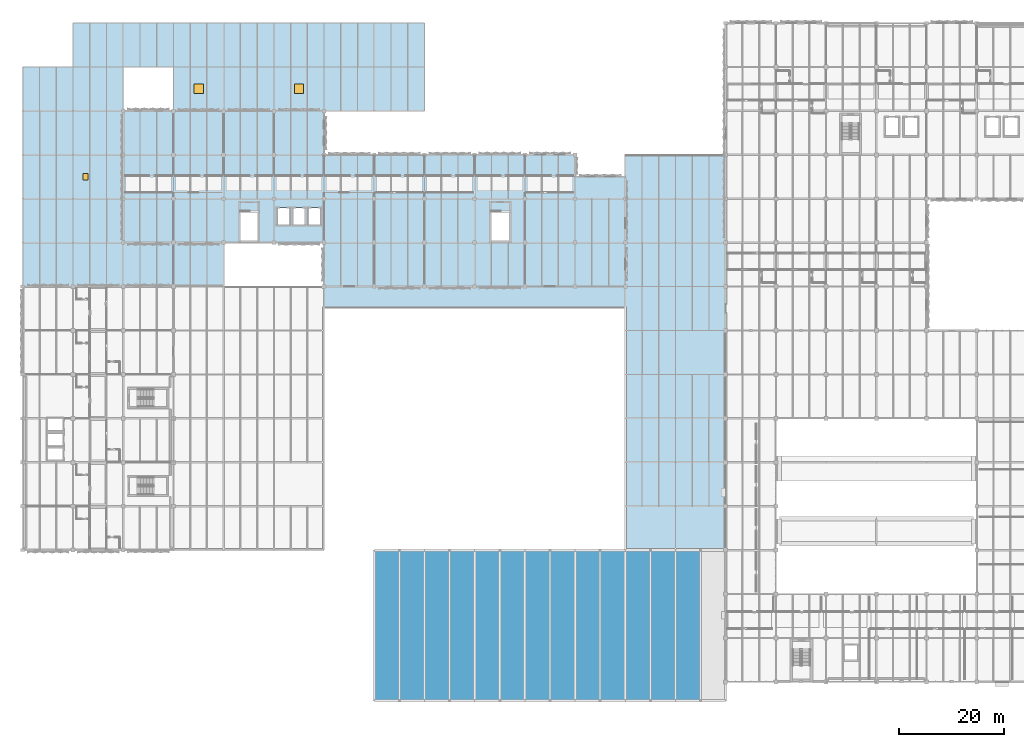
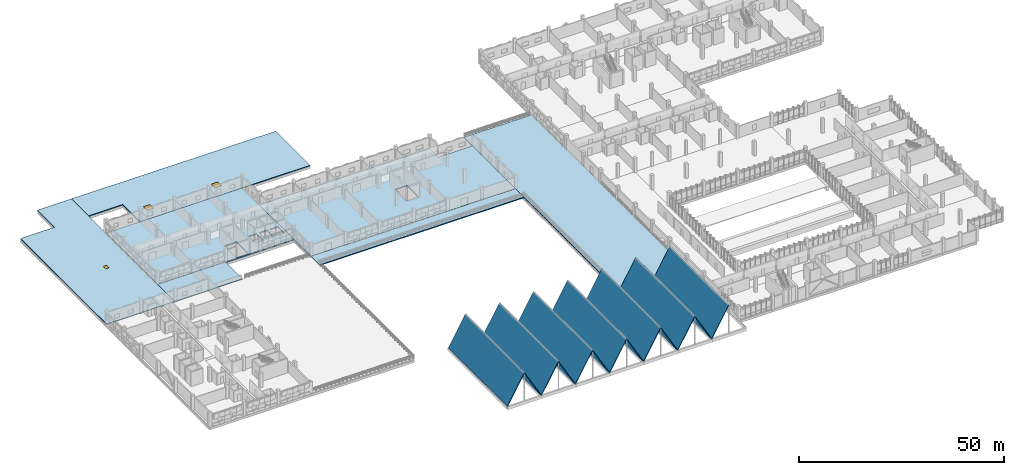
# One storey, part 39 of 86: 20 slabs, 2 windows, 1 door, 3 openings, 2 elements without a shape of their own.
"""IFC4 building model written with IfcOpenShell, lengths in metres."""

from ifc_helpers import new_model, si_unit, direction, frame, origin, origin_2d, place, context, subcontext, project, spatial, polyline, rectangle, outline, extrude, material, layer, layer_set, type_object, element, fill, aggregate, save


model = new_model("IFC4")

# Units and contexts
model_context = context("Model", 3, precision=1e-05, world=origin(), true_north=direction((0.0, 1.0)))
body_context = subcontext(model_context, "Body", "Model", "MODEL_VIEW")
ifc_project = project(units=[si_unit("LENGTHUNIT", "METRE"), si_unit("AREAUNIT", "SQUARE_METRE"), si_unit("VOLUMEUNIT", "CUBIC_METRE"), si_unit("PLANEANGLEUNIT", "RADIAN"), si_unit("MASSUNIT", "GRAM", prefix="KILO")], contexts=[model_context])

# Site, building, storey
site_placement = place(None, origin())
site = spatial("IfcSite", under=ifc_project, at=site_placement, CompositionType="ELEMENT")
building_placement = place(site_placement, origin())
building = spatial("IfcBuilding", under=site, at=building_placement, Name="Oolite Switchyard Hospital", CompositionType="ELEMENT")
storey_placement = place(building_placement, frame((0.0, 0.0, 13.5)))
storey = spatial("IfcBuildingStorey", under=building, at=storey_placement, Name="L03", CompositionType="ELEMENT", Elevation=13.5)

# Slabs
ifc_material_1 = material(Name="Concrete C40/50", Category="concrete")
ifc_layer_1 = layer(ifc_material_1, 0.27490234375)
ifc_layer_set_1 = layer_set([ifc_layer_1], Name="SLB-FLR-275")
slab_type_1 = type_object("IfcSlabType", Name="SLB-FLR-275", PredefinedType="FLOOR", material=ifc_layer_set_1)
slab_1_placement = place(storey_placement, frame((0.0, 0.0, -0.27490234375)))
element("IfcSlab", 1, at=slab_1_placement, inside=storey, type_object=slab_type_1, Name="L03 V4 Slab V4RH", PredefinedType="FLOOR", context=body_context, shape_type="SweptSolid", body=[
    extrude(outline(polyline([(57.60009765625, 84.0), (115.199951171875, 84.0), (115.199951171875, 105.0), (105.60009765625, 105.0), (105.60009765625, 109.199951171875), (57.60009765625, 109.199951171875), (57.60009765625, 84.0)]), holes=[polyline([(89.60009765625, 98.389892578125), (89.60009765625, 92.800048828125), (92.9599609375, 92.800048828125), (92.9599609375, 98.389892578125), (89.60009765625, 98.389892578125)])]), origin(), (0.0, 0.0, 1.0), 0.27490234375),
])
ifc_layer_2 = layer(ifc_material_1, 0.320068359375)
ifc_layer_set_2 = layer_set([ifc_layer_2], Name="SLB-FLR-320")
slab_type_2 = type_object("IfcSlabType", Name="SLB-FLR-320", PredefinedType="FLOOR", material=ifc_layer_set_2)
slab_2_placement = place(storey_placement, frame((0.0, 0.0, -0.320068359375)))
element("IfcSlab", 2, at=slab_2_placement, inside=storey, type_object=slab_type_2, Name="L03 V3 Slab V3PH", PredefinedType="FLOOR", context=body_context, shape_type="SweptSolid", body=[
    extrude(outline(polyline([(19.199951171875, 92.39990234375), (57.60009765625, 92.39990234375), (57.60009765625, 117.60009765625), (19.199951171875, 117.60009765625), (19.199951171875, 92.39990234375)]), holes=[polyline([(41.60009765625, 98.389892578125), (41.60009765625, 92.800048828125), (44.9599609375, 92.800048828125), (44.9599609375, 98.389892578125), (41.60009765625, 98.389892578125)]), polyline([(48.699951171875, 95.800048828125), (50.89990234375, 95.800048828125), (50.89990234375, 99.0), (48.699951171875, 99.0), (48.699951171875, 95.800048828125)]), polyline([(51.699951171875, 95.800048828125), (53.89990234375, 95.800048828125), (53.89990234375, 99.0), (51.699951171875, 99.0), (51.699951171875, 95.800048828125)]), polyline([(54.699951171875, 95.800048828125), (56.89990234375, 95.800048828125), (56.89990234375, 99.0), (54.699951171875, 99.0), (54.699951171875, 95.800048828125)])]), origin(), (0.0, 0.0, 1.0), 0.320068359375),
])

# Roof, slabs
roof_type_1 = type_object("IfcRoofType", Name="ROOF-FOLDED", PredefinedType="FREEFORM", material=ifc_material_1)
roof_1_placement = place(storey_placement, origin())
roof_1 = element("IfcRoof", 3, at=roof_1_placement, inside=storey, type_object=roof_type_1, Name="L03 Main Arrival Hall Folded-Plate Roof", PredefinedType="FREEFORM")
ifc_layer_3 = layer(ifc_material_1, 0.199951171875)
ifc_layer_set_3 = layer_set([ifc_layer_3], Name="SLB-FOLD-200")
slab_type_3 = type_object("IfcSlabType", Name="SLB-FOLD-200", PredefinedType="ROOF", material=ifc_layer_set_3)
slab_3_placement = place(storey_placement, frame((67.199951171875, 4.800048828125, 0.0), z_axis=(-0.8682384833, 0.0, 0.49614709121), x_axis=(0.49614709121, 0.0, 0.8682384833)))
slab_3 = element("IfcSlab", 4, at=slab_3_placement, type_object=slab_type_3, Name="Main Hall Folded-Plate Roof Facet 1", PredefinedType="ROOF", context=body_context, shape_type="SweptSolid", body=[
    extrude(outline(polyline([(0.0, 0.0), (9.674648734549535, 0.0), (9.674648734549535, 28.800048828125), (0.0, 28.800048828125), (0.0, 0.0)])), origin(), (-0.8682384833, 0.0, -0.49614709121), 0.403076171875),
])
slab_4_placement = place(storey_placement, frame((72.0, 4.800048828125, 8.39990234375), z_axis=(0.8682384833, 0.0, 0.49614709121), x_axis=(0.49614709121, 0.0, -0.8682384833)))
slab_4 = element("IfcSlab", 5, at=slab_4_placement, type_object=slab_type_3, Name="Main Hall Folded-Plate Roof Facet 2", PredefinedType="ROOF", context=body_context, shape_type="SweptSolid", body=[
    extrude(outline(polyline([(0.0, 0.0), (9.674648734549535, 0.0), (9.674648734549535, 28.800048828125), (0.0, 28.800048828125), (0.0, 0.0)])), origin(), (0.8682384833, 0.0, -0.49614709121), 0.403076171875),
])
slab_5_placement = place(storey_placement, frame((76.800048828125, 4.800048828125, 0.0), z_axis=(-0.8682384833, 0.0, 0.49614709121), x_axis=(0.49614709121, 0.0, 0.8682384833)))
slab_5 = element("IfcSlab", 6, at=slab_5_placement, type_object=slab_type_3, Name="Main Hall Folded-Plate Roof Facet 3", PredefinedType="ROOF", context=body_context, shape_type="SweptSolid", body=[
    extrude(outline(polyline([(0.0, 0.0), (9.674648734549535, 0.0), (9.674648734549535, 28.800048828125), (0.0, 28.800048828125), (0.0, 0.0)])), origin(), (-0.8682384833, 0.0, -0.49614709121), 0.403076171875),
])
slab_6_placement = place(storey_placement, frame((81.60009765625, 4.800048828125, 8.39990234375), z_axis=(0.868249353848, 0.0, 0.496128067682), x_axis=(0.496128067682, 0.0, -0.868249353848)))
slab_6 = element("IfcSlab", 7, at=slab_6_placement, type_object=slab_type_3, Name="Main Hall Folded-Plate Roof Facet 4", PredefinedType="ROOF", context=body_context, shape_type="SweptSolid", body=[
    extrude(outline(polyline([(0.0, 0.0), (9.67452760721079, 0.0), (9.67452760721079, 28.800048828125), (0.0, 28.800048828125), (0.0, 0.0)])), origin(), (0.868249353848, 0.0, -0.496128067682), 0.403076171875),
])
slab_7_placement = place(storey_placement, frame((86.39990234375, 4.800048828125, 0.0), z_axis=(-0.8682384833, 0.0, 0.49614709121), x_axis=(0.49614709121, 0.0, 0.8682384833)))
slab_7 = element("IfcSlab", 8, at=slab_7_placement, type_object=slab_type_3, Name="Main Hall Folded-Plate Roof Facet 5", PredefinedType="ROOF", context=body_context, shape_type="SweptSolid", body=[
    extrude(outline(polyline([(0.0, 0.0), (9.674648734549535, 0.0), (9.674648734549535, 28.800048828125), (0.0, 28.800048828125), (0.0, 0.0)])), origin(), (-0.8682384833, 0.0, -0.49614709121), 0.403076171875),
])
slab_8_placement = place(storey_placement, frame((91.199951171875, 4.800048828125, 8.39990234375), z_axis=(0.8682384833, 0.0, 0.49614709121), x_axis=(0.49614709121, 0.0, -0.8682384833)))
slab_8 = element("IfcSlab", 9, at=slab_8_placement, type_object=slab_type_3, Name="Main Hall Folded-Plate Roof Facet 6", PredefinedType="ROOF", context=body_context, shape_type="SweptSolid", body=[
    extrude(outline(polyline([(0.0, 0.0), (9.674648734549535, 0.0), (9.674648734549535, 28.800048828125), (0.0, 28.800048828125), (0.0, 0.0)])), origin(), (0.8682384833, 0.0, -0.49614709121), 0.403076171875),
])
slab_9_placement = place(storey_placement, frame((96.0, 4.800048828125, 0.0), z_axis=(-0.8682384833, 0.0, 0.49614709121), x_axis=(0.49614709121, 0.0, 0.8682384833)))
slab_9 = element("IfcSlab", 10, at=slab_9_placement, type_object=slab_type_3, Name="Main Hall Folded-Plate Roof Facet 7", PredefinedType="ROOF", context=body_context, shape_type="SweptSolid", body=[
    extrude(outline(polyline([(0.0, 0.0), (9.674648734549535, 0.0), (9.674648734549535, 28.800048828125), (0.0, 28.800048828125), (0.0, 0.0)])), origin(), (-0.8682384833, 0.0, -0.49614709121), 0.403076171875),
])
slab_10_placement = place(storey_placement, frame((100.800048828125, 4.800048828125, 8.39990234375), z_axis=(0.8682384833, 0.0, 0.49614709121), x_axis=(0.49614709121, 0.0, -0.8682384833)))
slab_10 = element("IfcSlab", 11, at=slab_10_placement, type_object=slab_type_3, Name="Main Hall Folded-Plate Roof Facet 8", PredefinedType="ROOF", context=body_context, shape_type="SweptSolid", body=[
    extrude(outline(polyline([(0.0, 0.0), (9.674648734549535, 0.0), (9.674648734549535, 28.800048828125), (0.0, 28.800048828125), (0.0, 0.0)])), origin(), (0.8682384833, 0.0, -0.49614709121), 0.403076171875),
])
slab_11_placement = place(storey_placement, frame((105.60009765625, 4.800048828125, 0.0), z_axis=(-0.868249353848, 0.0, 0.496128067682), x_axis=(0.496128067682, 0.0, 0.868249353848)))
slab_11 = element("IfcSlab", 12, at=slab_11_placement, type_object=slab_type_3, Name="Main Hall Folded-Plate Roof Facet 9", PredefinedType="ROOF", context=body_context, shape_type="SweptSolid", body=[
    extrude(outline(polyline([(0.0, 0.0), (9.67452760721079, 0.0), (9.67452760721079, 28.800048828125), (0.0, 28.800048828125), (0.0, 0.0)])), origin(), (-0.868249353848, 0.0, -0.496128067682), 0.403076171875),
])
slab_12_placement = place(storey_placement, frame((110.39990234375, 4.800048828125, 8.39990234375), z_axis=(0.8682384833, 0.0, 0.49614709121), x_axis=(0.49614709121, 0.0, -0.8682384833)))
slab_12 = element("IfcSlab", 13, at=slab_12_placement, type_object=slab_type_3, Name="Main Hall Folded-Plate Roof Facet 10", PredefinedType="ROOF", context=body_context, shape_type="SweptSolid", body=[
    extrude(outline(polyline([(0.0, 0.0), (9.674648734549535, 0.0), (9.674648734549535, 28.800048828125), (0.0, 28.800048828125), (0.0, 0.0)])), origin(), (0.8682384833, 0.0, -0.49614709121), 0.403076171875),
])
slab_13_placement = place(storey_placement, frame((115.199951171875, 4.800048828125, 0.0), z_axis=(-0.8682384833, 0.0, 0.49614709121), x_axis=(0.49614709121, 0.0, 0.8682384833)))
slab_13 = element("IfcSlab", 14, at=slab_13_placement, type_object=slab_type_3, Name="Main Hall Folded-Plate Roof Facet 11", PredefinedType="ROOF", context=body_context, shape_type="SweptSolid", body=[
    extrude(outline(polyline([(0.0, 0.0), (9.674648734549535, 0.0), (9.674648734549535, 28.800048828125), (0.0, 28.800048828125), (0.0, 0.0)])), origin(), (-0.8682384833, 0.0, -0.49614709121), 0.403076171875),
])
slab_14_placement = place(storey_placement, frame((120.0, 4.800048828125, 8.39990234375), z_axis=(0.8682384833, 0.0, 0.49614709121), x_axis=(0.49614709121, 0.0, -0.8682384833)))
slab_14 = element("IfcSlab", 15, at=slab_14_placement, type_object=slab_type_3, Name="Main Hall Folded-Plate Roof Facet 12", PredefinedType="ROOF", context=body_context, shape_type="SweptSolid", body=[
    extrude(outline(polyline([(0.0, 0.0), (9.674648734549535, 0.0), (9.674648734549535, 28.800048828125), (0.0, 28.800048828125), (0.0, 0.0)])), origin(), (0.8682384833, 0.0, -0.49614709121), 0.403076171875),
])
slab_15_placement = place(storey_placement, frame((124.800048828125, 4.800048828125, 0.0), z_axis=(-0.8682384833, 0.0, 0.49614709121), x_axis=(0.49614709121, 0.0, 0.8682384833)))
slab_15 = element("IfcSlab", 16, at=slab_15_placement, type_object=slab_type_3, Name="Main Hall Folded-Plate Roof Facet 13", PredefinedType="ROOF", context=body_context, shape_type="SweptSolid", body=[
    extrude(outline(polyline([(0.0, 0.0), (9.674648734549535, 0.0), (9.674648734549535, 28.800048828125), (0.0, 28.800048828125), (0.0, 0.0)])), origin(), (-0.8682384833, 0.0, -0.49614709121), 0.403076171875),
])
aggregate(roof_1, [slab_3, slab_4, slab_5, slab_6, slab_7, slab_8, slab_9, slab_10, slab_11, slab_12, slab_13, slab_14, slab_15])

# Roof, slabs, openings, door, windows
roof_type_2 = type_object("IfcRoofType", Name="ROOF-FLAT", PredefinedType="FLAT_ROOF", material=ifc_material_1)
roof_2_placement = place(storey_placement, origin())
roof_2 = element("IfcRoof", 17, at=roof_2_placement, inside=storey, type_object=roof_type_2, Name="L03 Flat Cool Roof Assembly", PredefinedType="FLAT_ROOF")
ifc_layer_4 = layer(ifc_material_1, 0.219970703125)
ifc_layer_set_4 = layer_set([ifc_layer_4], Name="SLB-ROOF-220")
slab_type_4 = type_object("IfcSlabType", Name="SLB-ROOF-220", PredefinedType="ROOF", material=ifc_layer_set_4)
slab_16_placement = place(storey_placement, frame((0.0, 0.0, -0.219970703125)))
slab_16 = element("IfcSlab", 18, at=slab_16_placement, type_object=slab_type_4, Name="L03 V3 Slab V3RA", PredefinedType="ROOF", context=body_context, shape_type="SweptSolid", body=[
    extrude(outline(polyline([(0.0, 84.0), (19.199951171875, 84.0), (19.199951171875, 134.39990234375), (9.60009765625, 134.39990234375), (9.60009765625, 126.0), (0.0, 126.0), (0.0, 84.0)])), origin(), (0.0, 0.0, 1.0), 0.219970703125),
])
opening_1_placement = place(slab_16_placement, frame((12.0, 105.0, 0.0)))
opening_1 = element("IfcOpeningElement", 19, at=opening_1_placement, cuts=slab_16, Name="Opening HTD-02", PredefinedType="OPENING", context=body_context, shape_type="SweptSolid", body=[
    extrude(rectangle(XDim=1.0, YDim=1.199951171875, at=origin_2d()), frame((0.0, 0.0, -0.010009765625), z_axis=(0.0, 0.0, 1.0), x_axis=(1.0, 0.0, 0.0)), (0.0, 0.0, 1.0), 0.239990234375),
])
ifc_material_2 = material(Name="Insulated marine-grade aluminum roof access hatch", Category="aluminium")
door_type = type_object("IfcDoorType", Name="HT-RF-100X120", OperationType="NOTDEFINED", PredefinedType="TRAPDOOR", material=ifc_material_2)
door_placement = place(opening_1_placement, frame((0.0, 0.0, 0.169921875)))
door = element("IfcDoor", 20, at=door_placement, inside=storey, type_object=door_type, Name="L03 Maintenance Roof Access Hatch HTD-02", OperationType="SINGLE_SWING_LEFT", OverallHeight=1.199951171875, OverallWidth=1.0, PredefinedType="TRAPDOOR", context=body_context, shape_type="SweptSolid", body=[
    extrude(rectangle(XDim=1.0, YDim=1.199951171875, at=origin_2d()), origin(), (0.0, 0.0, 1.0), 0.050048828125),
])
fill(opening_1, door)
slab_17_placement = place(storey_placement, frame((0.0, 0.0, -0.219970703125)))
slab_17 = element("IfcSlab", 21, at=slab_17_placement, type_object=slab_type_4, Name="L03 V3 Slab V3RB", PredefinedType="ROOF", context=body_context, shape_type="SweptSolid", body=[
    extrude(outline(polyline([(28.800048828125, 117.60009765625), (76.800048828125, 117.60009765625), (76.800048828125, 134.39990234375), (19.199951171875, 134.39990234375), (19.199951171875, 126.0), (28.800048828125, 126.0), (28.800048828125, 117.60009765625)])), origin(), (0.0, 0.0, 1.0), 0.219970703125),
])
opening_2_placement = place(slab_17_placement, frame((33.60009765625, 121.800048828125, 0.0)))
opening_2 = element("IfcOpeningElement", 22, at=opening_2_placement, cuts=slab_17, Name="Opening SKY-005", PredefinedType="OPENING", context=body_context, shape_type="SweptSolid", body=[
    extrude(rectangle(XDim=1.800048828125, YDim=1.800048828125, at=origin_2d()), frame((0.0, 0.0, -0.010009765625), z_axis=(0.0, 0.0, 1.0), x_axis=(1.0, 0.0, 0.0)), (0.0, 0.0, 1.0), 0.239990234375),
])
opening_3_placement = place(slab_17_placement, frame((52.800048828125, 121.800048828125, 0.0)))
opening_3 = element("IfcOpeningElement", 23, at=opening_3_placement, cuts=slab_17, Name="Opening SKY-006", PredefinedType="OPENING", context=body_context, shape_type="SweptSolid", body=[
    extrude(rectangle(XDim=1.800048828125, YDim=1.800048828125, at=origin_2d()), frame((0.0, 0.0, -0.010009765625), z_axis=(0.0, 0.0, 1.0), x_axis=(1.0, 0.0, 0.0)), (0.0, 0.0, 1.0), 0.239990234375),
])
ifc_material_3 = material(Name="Thermally broken aluminum frame with laminated impact glazing", Category="aluminium")
window_type = type_object("IfcWindowType", Name="SKY-180X180", PartitioningType="SINGLE_PANEL", PredefinedType="SKYLIGHT", material=ifc_material_3)
window_1_placement = place(opening_2_placement, frame((0.0, 0.0, 0.169921875)))
window_1 = element("IfcWindow", 24, at=window_1_placement, inside=storey, type_object=window_type, Name="L03 Hurricane Roof Skylight SKY-005", OverallHeight=1.800048828125, OverallWidth=1.800048828125, PartitioningType="SINGLE_PANEL", PredefinedType="SKYLIGHT", context=body_context, shape_type="SweptSolid", body=[
    extrude(rectangle(XDim=1.800048828125, YDim=1.800048828125, at=origin_2d()), origin(), (0.0, 0.0, 1.0), 0.050048828125),
])
fill(opening_2, window_1)
window_2_placement = place(opening_3_placement, frame((0.0, 0.0, 0.169921875)))
window_2 = element("IfcWindow", 25, at=window_2_placement, inside=storey, type_object=window_type, Name="L03 Hurricane Roof Skylight SKY-006", OverallHeight=1.800048828125, OverallWidth=1.800048828125, PartitioningType="SINGLE_PANEL", PredefinedType="SKYLIGHT", context=body_context, shape_type="SweptSolid", body=[
    extrude(rectangle(XDim=1.800048828125, YDim=1.800048828125, at=origin_2d()), origin(), (0.0, 0.0, 1.0), 0.050048828125),
])
fill(opening_3, window_2)
slab_18_placement = place(storey_placement, frame((0.0, 0.0, -0.219970703125)))
slab_18 = element("IfcSlab", 26, at=slab_18_placement, type_object=slab_type_4, Name="L03 V3 Slab V3RC", PredefinedType="ROOF", context=body_context, shape_type="SweptSolid", body=[
    extrude(outline(polyline([(19.199951171875, 84.0), (38.39990234375, 84.0), (38.39990234375, 92.39990234375), (19.199951171875, 92.39990234375), (19.199951171875, 84.0)])), origin(), (0.0, 0.0, 1.0), 0.219970703125),
])
aggregate(roof_2, [slab_16, slab_17, slab_18])

# Slabs
ifc_layer_5 = layer(ifc_material_1, 0.2900390625)
ifc_layer_set_5 = layer_set([ifc_layer_5], Name="SLB-TER-290")
slab_type_5 = type_object("IfcSlabType", Name="SLB-TER-290", PredefinedType="FLOOR", material=ifc_layer_set_5)
slab_19_placement = place(storey_placement, frame((0.0, 0.0, -0.2900390625)))
element("IfcSlab", 27, at=slab_19_placement, inside=storey, type_object=slab_type_5, Name="L03 V4 Slab V4TC", PredefinedType="FLOOR", context=body_context, shape_type="SweptSolid", body=[
    extrude(outline(polyline([(57.60009765625, 79.800048828125), (115.199951171875, 79.800048828125), (115.199951171875, 84.0), (57.60009765625, 84.0), (57.60009765625, 79.800048828125)])), origin(), (0.0, 0.0, 1.0), 0.2900390625),
])
slab_20_placement = place(storey_placement, frame((0.0, 0.0, -0.2900390625)))
element("IfcSlab", 28, at=slab_20_placement, inside=storey, type_object=slab_type_5, Name="L03 V4 Slab V4TE", PredefinedType="FLOOR", context=body_context, shape_type="SweptSolid", body=[
    extrude(outline(polyline([(115.199951171875, 33.60009765625), (134.39990234375, 33.60009765625), (134.39990234375, 109.199951171875), (115.199951171875, 109.199951171875), (115.199951171875, 33.60009765625)])), origin(), (0.0, 0.0, 1.0), 0.2900390625),
])

save(model, "model.ifc")
